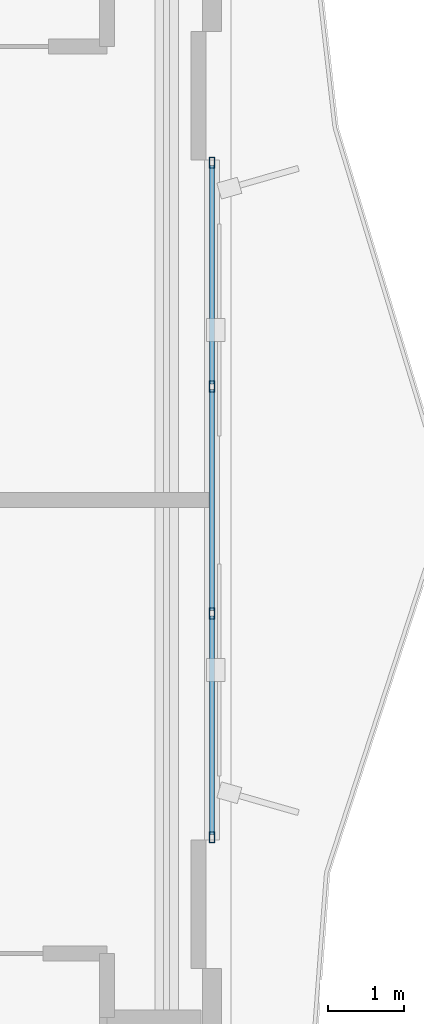
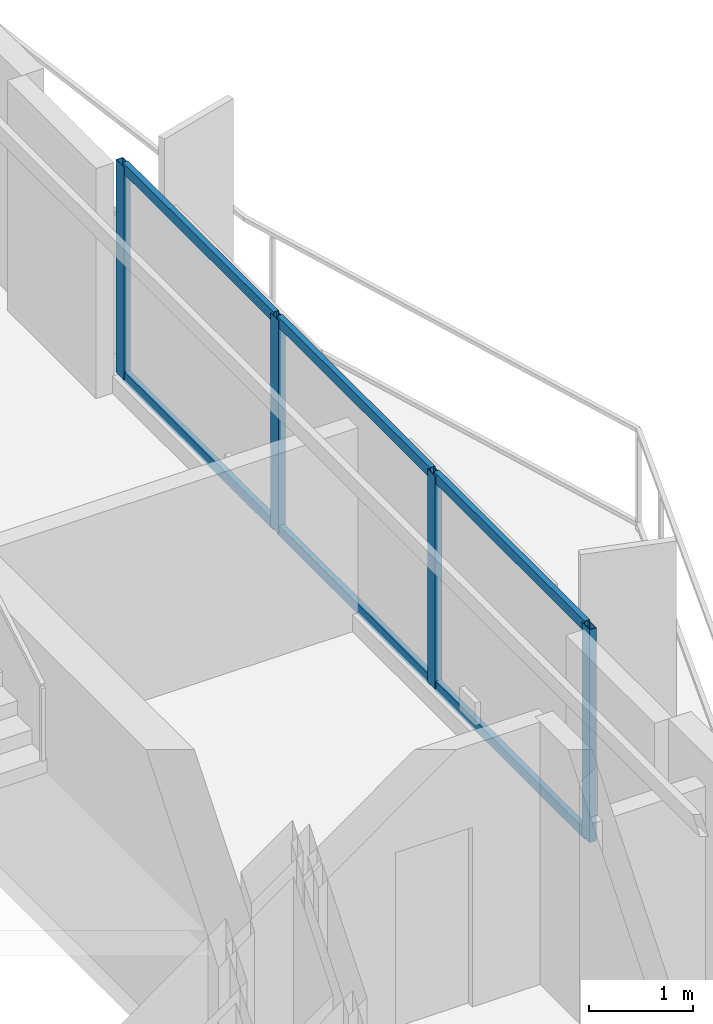
# One storey, part 12 of 19: 10 members, 1 element without a shape of its own.
"""IFC4 building model written with IfcOpenShell, lengths in metres."""

from ifc_helpers import new_model, si_unit, direction, frame, origin, origin_2d, place, context, subcontext, project, spatial, hollow_rectangle, extrude, material, layer, layer_set, material_profile, profile_set, type_object, element, aggregate, save


model = new_model("IFC4")

# Units and contexts
model_context = context("Model", 3, precision=1e-05, world=origin(), true_north=direction((0.0, 1.0)))
body_context = subcontext(model_context, "Body", "Model", "MODEL_VIEW")
ifc_project = project(units=[si_unit("LENGTHUNIT", "METRE"), si_unit("AREAUNIT", "SQUARE_METRE"), si_unit("VOLUMEUNIT", "CUBIC_METRE"), si_unit("PLANEANGLEUNIT", "RADIAN"), si_unit("MASSUNIT", "GRAM", prefix="KILO")], contexts=[model_context])

# Site, building, storey
site_placement = place(None, origin())
site = spatial("IfcSite", under=ifc_project, at=site_placement, CompositionType="ELEMENT")
building_placement = place(site_placement, origin())
building = spatial("IfcBuilding", under=site, at=building_placement, Name="Mersakhor Tower and Convention Hall", CompositionType="ELEMENT")
storey_placement = place(building_placement, frame((0.0, 0.0, 175.5)))
storey = spatial("IfcBuildingStorey", under=building, at=storey_placement, Name="L48", CompositionType="ELEMENT", Elevation=175.5)

# Curtain wall, members
ifc_material_1 = material(Name="Dark solar low-E aluminium curtain wall", Category="aluminium")
ifc_layer = layer(ifc_material_1, 0.169921875)
ifc_layer_set = layer_set([ifc_layer], Name="Dark solar low-E aluminium curtain wall")
curtain_wall_type = type_object("IfcCurtainWallType", Name="CW-SYS-02", PredefinedType="USERDEFINED", material=ifc_layer_set)
curtain_wall_placement = place(storey_placement, origin())
curtain_wall = element("IfcCurtainWall", 1, at=curtain_wall_placement, inside=storey, type_object=curtain_wall_type, Name="L48 Dark-Glass Curtain Wall F2-B2", ObjectType="CURTAIN WALL", PredefinedType="USERDEFINED")
ifc_material_2 = material(Name="Anodised aluminium EN AW-6063 T6", Category="aluminium")
ifc_material_profile_1 = material_profile(ifc_material_2, hollow_rectangle(XDim=0.074951171875, YDim=0.14990234375, WallThickness=0.00634765625, at=origin_2d()), Name="RHS 150x75x6.3")
ifc_profile_set_1 = profile_set([ifc_material_profile_1], Name="Anodised aluminium EN AW-6063 T6")
member_type_1 = type_object("IfcMemberType", Name="CWM-150x75", PredefinedType="MULLION", material=ifc_profile_set_1)
member_1_placement = place(storey_placement, frame((40.58837890625, 31.2119140625, 0.199951171875), z_axis=(0.0, 0.0, 1.0), x_axis=(1.0, 0.0, 0.0)))
member_1 = element("IfcMember", 2, at=member_1_placement, type_object=member_type_1, Name="CW-02 mullion 1", PredefinedType="MULLION", context=body_context, shape_type="SweptSolid", body=[
    extrude(hollow_rectangle(XDim=0.074951171875, YDim=0.14990234375, WallThickness=0.00634765625, at=origin_2d()), origin(), (0.0, 0.0, 1.0), 2.489990234375),
])
member_2_placement = place(storey_placement, frame((40.58837890625, 28.249755859375, 0.199951171875), z_axis=(0.0, 0.0, 1.0), x_axis=(1.0, 0.0, 0.0)))
member_2 = element("IfcMember", 3, at=member_2_placement, type_object=member_type_1, Name="CW-02 mullion 2", PredefinedType="MULLION", context=body_context, shape_type="SweptSolid", body=[
    extrude(hollow_rectangle(XDim=0.074951171875, YDim=0.14990234375, WallThickness=0.00634765625, at=origin_2d()), origin(), (0.0, 0.0, 1.0), 2.489990234375),
])
member_3_placement = place(storey_placement, frame((40.58837890625, 25.250244140625, 0.199951171875), z_axis=(0.0, 0.0, 1.0), x_axis=(1.0, 0.0, 0.0)))
member_3 = element("IfcMember", 4, at=member_3_placement, type_object=member_type_1, Name="CW-02 mullion 3", PredefinedType="MULLION", context=body_context, shape_type="SweptSolid", body=[
    extrude(hollow_rectangle(XDim=0.074951171875, YDim=0.14990234375, WallThickness=0.00634765625, at=origin_2d()), origin(), (0.0, 0.0, 1.0), 2.489990234375),
])
member_4_placement = place(storey_placement, frame((40.58837890625, 22.2880859375, 0.199951171875), z_axis=(0.0, 0.0, 1.0), x_axis=(1.0, 0.0, 0.0)))
member_4 = element("IfcMember", 5, at=member_4_placement, type_object=member_type_1, Name="CW-02 mullion 4", PredefinedType="MULLION", context=body_context, shape_type="SweptSolid", body=[
    extrude(hollow_rectangle(XDim=0.074951171875, YDim=0.14990234375, WallThickness=0.00634765625, at=origin_2d()), origin(), (0.0, 0.0, 1.0), 2.489990234375),
])
ifc_material_3 = material(Name="Anodised aluminium EN AW-6063 T6", Category="aluminium")
ifc_material_profile_2 = material_profile(ifc_material_3, hollow_rectangle(XDim=0.06005859375, YDim=0.1201171875, WallThickness=0.0048828125, at=origin_2d()), Name="RHS 120x60x5")
ifc_profile_set_2 = profile_set([ifc_material_profile_2], Name="Anodised aluminium EN AW-6063 T6")
member_type_2 = type_object("IfcMemberType", Name="CWT-120x60", PredefinedType="USERDEFINED", material=ifc_profile_set_2)
member_5_placement = place(storey_placement, frame((40.58837890625, 31.174560546875, 0.22998046875), z_axis=(0.0, -1.0, 0.0), x_axis=(1.0, 0.0, 0.0)))
member_5 = element("IfcMember", 6, at=member_5_placement, type_object=member_type_2, Name="CW-02 transom 1.1", ObjectType="TRANSOM", PredefinedType="USERDEFINED", context=body_context, shape_type="SweptSolid", body=[
    extrude(hollow_rectangle(XDim=0.06005859375, YDim=0.1201171875, WallThickness=0.0048828125, at=origin_2d()), origin(), (0.0, 0.0, 1.0), 2.88720703125),
])
member_6_placement = place(storey_placement, frame((40.58837890625, 31.174560546875, 2.659912109375), z_axis=(0.0, -1.0, 0.0), x_axis=(1.0, 0.0, 0.0)))
member_6 = element("IfcMember", 7, at=member_6_placement, type_object=member_type_2, Name="CW-02 transom 1.2", ObjectType="TRANSOM", PredefinedType="USERDEFINED", context=body_context, shape_type="SweptSolid", body=[
    extrude(hollow_rectangle(XDim=0.06005859375, YDim=0.1201171875, WallThickness=0.0048828125, at=origin_2d()), origin(), (0.0, 0.0, 1.0), 2.88720703125),
])
member_7_placement = place(storey_placement, frame((40.58837890625, 28.21240234375, 0.22998046875), z_axis=(0.0, -1.0, 0.0), x_axis=(1.0, 0.0, 0.0)))
member_7 = element("IfcMember", 8, at=member_7_placement, type_object=member_type_2, Name="CW-02 transom 2.1", ObjectType="TRANSOM", PredefinedType="USERDEFINED", context=body_context, shape_type="SweptSolid", body=[
    extrude(hollow_rectangle(XDim=0.06005859375, YDim=0.1201171875, WallThickness=0.0048828125, at=origin_2d()), origin(), (0.0, 0.0, 1.0), 2.9248046875),
])
member_8_placement = place(storey_placement, frame((40.58837890625, 28.21240234375, 2.659912109375), z_axis=(0.0, -1.0, 0.0), x_axis=(1.0, 0.0, 0.0)))
member_8 = element("IfcMember", 9, at=member_8_placement, type_object=member_type_2, Name="CW-02 transom 2.2", ObjectType="TRANSOM", PredefinedType="USERDEFINED", context=body_context, shape_type="SweptSolid", body=[
    extrude(hollow_rectangle(XDim=0.06005859375, YDim=0.1201171875, WallThickness=0.0048828125, at=origin_2d()), origin(), (0.0, 0.0, 1.0), 2.9248046875),
])
member_9_placement = place(storey_placement, frame((40.58837890625, 25.212646484375, 0.22998046875), z_axis=(0.0, -1.0, 0.0), x_axis=(1.0, 0.0, 0.0)))
member_9 = element("IfcMember", 10, at=member_9_placement, type_object=member_type_2, Name="CW-02 transom 3.1", ObjectType="TRANSOM", PredefinedType="USERDEFINED", context=body_context, shape_type="SweptSolid", body=[
    extrude(hollow_rectangle(XDim=0.06005859375, YDim=0.1201171875, WallThickness=0.0048828125, at=origin_2d()), origin(), (0.0, 0.0, 1.0), 2.88720703125),
])
member_10_placement = place(storey_placement, frame((40.58837890625, 25.212646484375, 2.659912109375), z_axis=(0.0, -1.0, 0.0), x_axis=(1.0, 0.0, 0.0)))
member_10 = element("IfcMember", 11, at=member_10_placement, type_object=member_type_2, Name="CW-02 transom 3.2", ObjectType="TRANSOM", PredefinedType="USERDEFINED", context=body_context, shape_type="SweptSolid", body=[
    extrude(hollow_rectangle(XDim=0.06005859375, YDim=0.1201171875, WallThickness=0.0048828125, at=origin_2d()), origin(), (0.0, 0.0, 1.0), 2.88720703125),
])
aggregate(curtain_wall, [member_1, member_2, member_3, member_4, member_5, member_6, member_7, member_8, member_9, member_10])

save(model, "model.ifc")
